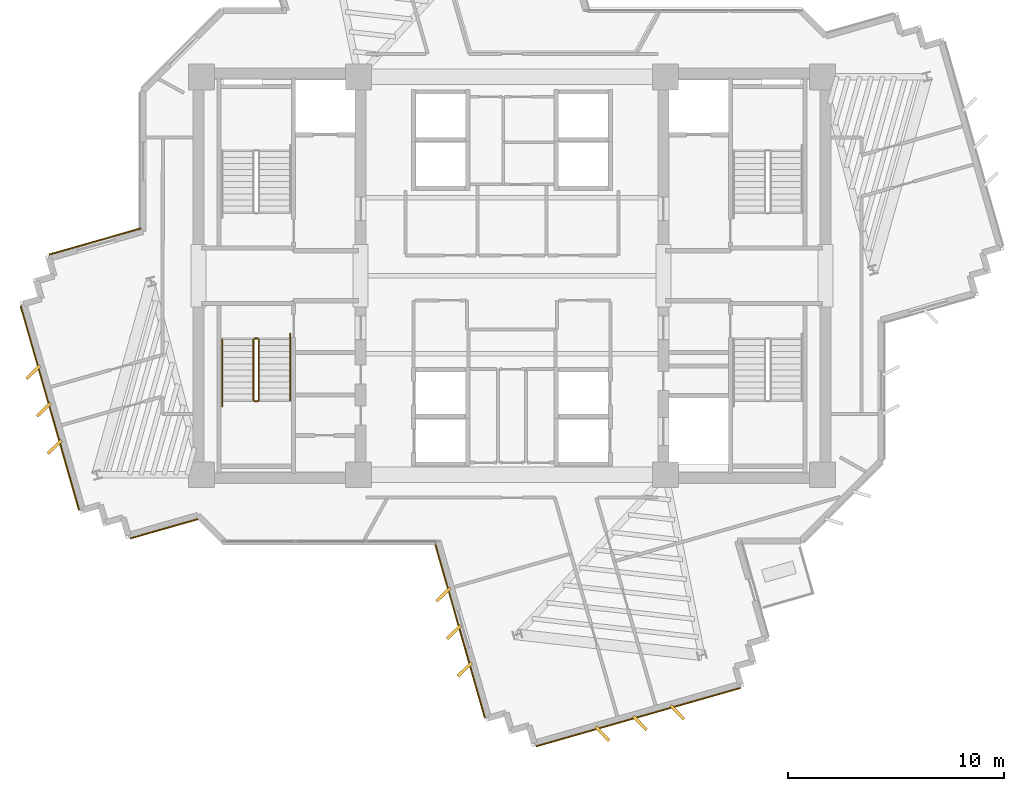
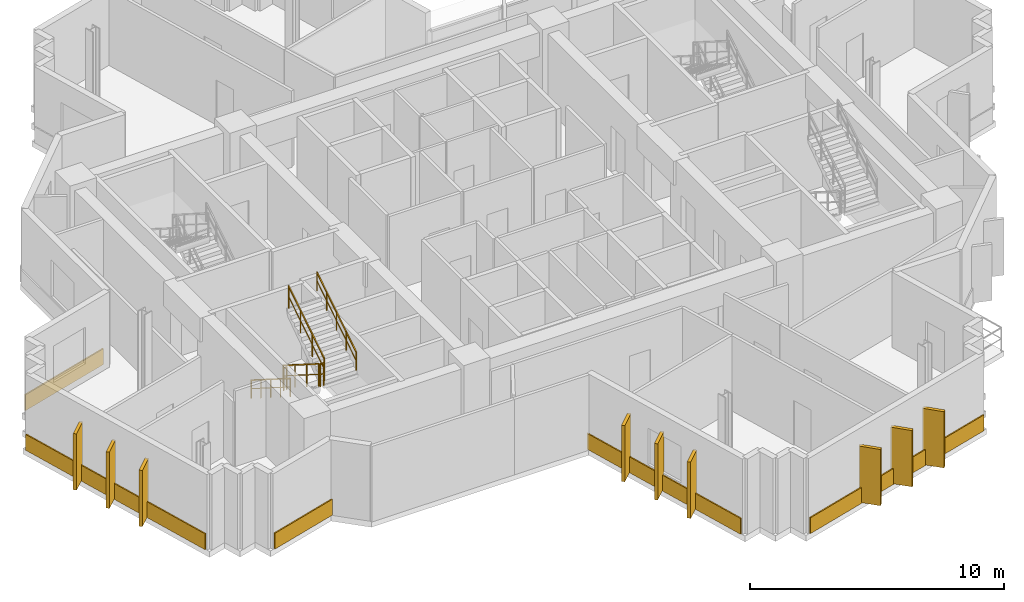
# One storey, part 11 of 14: 14 coverings, 6 railings.
"""IFC4 building model written with IfcOpenShell, lengths in metres."""

import ifcopenshell
import ifcopenshell.guid

model = None  # the IFC model being written
_history = None  # IfcOwnerHistory: only IFC2X3 demands one
_inside = {}  # id of a spatial element -> (the spatial element, [elements in it])
_under = {}  # id of a project, library or spatial element -> (it, [spatial elements below it])
_declared = {}  # id of a project -> (the project, [libraries it declares])
_typed = {}  # id of a type object -> (the type object, [elements of that type])
_made_of = {}  # id of a material, layer set ... -> (it, [elements and type objects made of it])


def new_model(schema):
    """Start an empty IFC model of exactly this schema.

    Asked for "IFC4X3", IfcOpenShell would pick the latest addendum, in which some entities
    have other attributes; the version numbers below select the first issue.
    IFC2X3 requires an IfcOwnerHistory on every rooted entity: one is made here for all.
    """
    global model, _history
    if schema == "IFC4X3":
        model = ifcopenshell.file(schema_version=(4, 3, 0, 0))
    else:
        model = ifcopenshell.file(schema=schema)
    _inside.clear()
    _under.clear()
    _declared.clear()
    _typed.clear()
    _made_of.clear()
    _history = None
    if model.schema == "IFC2X3":
        org = make("IfcOrganization", Name="unknown")
        user = make(
            "IfcPersonAndOrganization",
            ThePerson=make("IfcPerson", FamilyName="unknown"),
            TheOrganization=org,
        )
        app = make(
            "IfcApplication",
            ApplicationDeveloper=org,
            Version="unknown",
            ApplicationFullName="unknown",
            ApplicationIdentifier="unknown",
        )
        _history = make(
            "IfcOwnerHistory",
            OwningUser=user,
            OwningApplication=app,
            ChangeAction="ADDED",
            CreationDate=0,
        )
    return model


def make(cls, **values):
    """One entity of the class cls with the attributes given. An attribute that is None is left unset."""
    return model.create_entity(
        cls, **{name: value for name, value in values.items() if value is not None}
    )


def rooted(cls, **values):
    """An entity with a GlobalId (a new one), such as an element, a storey or a relation."""
    return make(cls, GlobalId=ifcopenshell.guid.new(), OwnerHistory=_history, **values)


def si_unit(unit_type, name, prefix=None):
    """IfcSIUnit, for example si_unit("LENGTHUNIT", "METRE", prefix="MILLI")."""
    return make("IfcSIUnit", UnitType=unit_type, Prefix=prefix, Name=name)


def assignment(units):
    """IfcUnitAssignment: the units of a project."""
    return None if units is None else make("IfcUnitAssignment", Units=units)


def point(xyz):
    """IfcCartesianPoint."""
    return None if xyz is None else make("IfcCartesianPoint", Coordinates=xyz)


def direction(xyz):
    """IfcDirection."""
    return None if xyz is None else make("IfcDirection", DirectionRatios=xyz)


def frame(location, z_axis=None, x_axis=None):
    """IfcAxis2Placement3D, a coordinate frame: its origin and axes. An axis left out is left unset."""
    return make(
        "IfcAxis2Placement3D",
        Location=point(location),
        Axis=direction(z_axis),
        RefDirection=direction(x_axis),
    )


def frame_2d(location, x_axis=None):
    """IfcAxis2Placement2D, a coordinate frame in the plane: its origin and x axis."""
    return make(
        "IfcAxis2Placement2D", Location=point(location), RefDirection=direction(x_axis)
    )


def origin():
    """The frame at (0, 0, 0) with its axes left unset."""
    return frame((0.0, 0.0, 0.0))


def origin_2d():
    """The frame at (0, 0) in the plane with its x axis left unset."""
    return frame_2d((0.0, 0.0))


def place(relative_to, where):
    """IfcLocalPlacement: puts the frame where relative to a parent placement (None: the world)."""
    return make(
        "IfcLocalPlacement", PlacementRelTo=relative_to, RelativePlacement=where
    )


def context(
    kind, dimensions, precision=None, world=None, true_north=None, identifier=None
):
    """IfcGeometricRepresentationContext, for example the 3D "Model" context."""
    return make(
        "IfcGeometricRepresentationContext",
        ContextIdentifier=identifier,
        ContextType=kind,
        CoordinateSpaceDimension=dimensions,
        Precision=precision,
        WorldCoordinateSystem=world,
        TrueNorth=true_north,
    )


def subcontext(parent, identifier, kind, view, scale=None):
    """IfcGeometricRepresentationSubContext, for example "Body" below "Model"."""
    return make(
        "IfcGeometricRepresentationSubContext",
        ContextIdentifier=identifier,
        ContextType=kind,
        ParentContext=parent,
        TargetScale=scale,
        TargetView=view,
    )


def project(units=None, contexts=None):
    """IfcProject with its units and contexts."""
    return rooted(
        "IfcProject",
        Name="project",
        RepresentationContexts=contexts,
        UnitsInContext=assignment(units),
    )


def spatial(cls, under=None, at=None, **own):
    """A site, building, storey or space (cls), placed at a placement, below another one or the project."""
    s = rooted(cls, ObjectPlacement=at, **own)
    if under is not None:
        _under.setdefault(under.id(), (under, []))[1].append(s)
    return s


def profile(cls, at=None, kind="AREA", **sizes):
    """A parametric profile (cls). Its sizes go by their IFC names, for example OverallWidth=200.0."""
    return make(cls, ProfileType=kind, Position=at, **sizes)


def rectangle(**sizes):
    """IfcRectangleProfileDef."""
    return profile("IfcRectangleProfileDef", **sizes)


def extrude(swept, where, along, depth):
    """IfcExtrudedAreaSolid: the profile swept, set in the frame where, extruded along a direction by depth."""
    return make(
        "IfcExtrudedAreaSolid",
        SweptArea=swept,
        Position=where,
        ExtrudedDirection=direction(along),
        Depth=depth,
    )


def shape(context_of_items, identifier, shape_type, items):
    """IfcShapeRepresentation: the items that make up one representation, for example the "Body"."""
    return make(
        "IfcShapeRepresentation",
        ContextOfItems=context_of_items,
        RepresentationIdentifier=identifier,
        RepresentationType=shape_type,
        Items=items,
    )


def source(mapping_origin, context_of_items, identifier, shape_type, items):
    """IfcRepresentationMap: a shape defined once, which mapped items show again and again."""
    return make(
        "IfcRepresentationMap",
        MappingOrigin=mapping_origin,
        MappedRepresentation=shape(context_of_items, identifier, shape_type, items),
    )


def transform(
    local_origin,
    x_axis=None,
    y_axis=None,
    z_axis=None,
    scale=None,
    scale2=None,
    scale3=None,
    uniform=True,
):
    """IfcCartesianTransformationOperator3D, or its non-uniform kind. x_axis, y_axis, z_axis: its Axis1, 2, 3."""
    if uniform:
        return make(
            "IfcCartesianTransformationOperator3D",
            Axis1=direction(x_axis),
            Axis2=direction(y_axis),
            LocalOrigin=point(local_origin),
            Scale=scale,
            Axis3=direction(z_axis),
        )
    return make(
        "IfcCartesianTransformationOperator3DnonUniform",
        Axis1=direction(x_axis),
        Axis2=direction(y_axis),
        LocalOrigin=point(local_origin),
        Scale=scale,
        Axis3=direction(z_axis),
        Scale2=scale2,
        Scale3=scale3,
    )


def mapped(mapping_source, mapping_target):
    """IfcMappedItem: shows the shape of a source again, moved by a transform."""
    return make(
        "IfcMappedItem", MappingSource=mapping_source, MappingTarget=mapping_target
    )


def material(Name=None, Category=None):
    """IfcMaterial."""
    return make("IfcMaterial", Name=Name, Category=Category)


def layer(
    of_material, thickness, ventilated=None, Name=None, Category=None, Priority=None
):
    """IfcMaterialLayer: one layer of a wall or slab, of a material (None: an air gap)."""
    return make(
        "IfcMaterialLayer",
        Material=of_material,
        LayerThickness=thickness,
        IsVentilated=ventilated,
        Name=Name,
        Category=Category,
        Priority=Priority,
    )


def layer_set(layers, Name=None):
    """IfcMaterialLayerSet."""
    return make("IfcMaterialLayerSet", MaterialLayers=layers, LayerSetName=Name)


def made_of(thing, what):
    """Note that an element or type object is made of a material, layer set ...; save() writes the relation."""
    if what is not None:
        _made_of.setdefault(what.id(), (what, []))[1].append(thing)
    return thing


def type_object(cls, material=None, **own):
    """A type object (cls), such as IfcWallType, which elements share."""
    return made_of(rooted(cls, **own), material)


def element(
    cls,
    number,
    at=None,
    inside=None,
    cuts=None,
    type_object=None,
    material=None,
    context=None,
    identifier="Body",
    shape_type=None,
    held_by="IfcProductDefinitionShape",
    body=None,
    shapes=None,
    **own,
):
    """One element of the class cls, such as IfcWall. Its Tag is "e" and its number.

    at: its placement. inside: the storey or other place that contains it. cuts: it is an
    opening in that element (IfcRelVoidsElement). A single representation is given by context,
    identifier, shape_type and body (its items); several are given by shapes. held_by: the class
    of the entity that holds the representations. save() writes the other relations.
    """
    e = rooted(cls, Tag="e%d" % number, ObjectPlacement=at, **own)
    if body is not None:
        shapes = [shape(context, identifier, shape_type, body)]
    if shapes is not None:
        e.Representation = make(held_by, Representations=shapes)
    if inside is not None:
        _inside.setdefault(inside.id(), (inside, []))[1].append(e)
    if cuts is not None:
        rooted(
            "IfcRelVoidsElement", RelatingBuildingElement=cuts, RelatedOpeningElement=e
        )
    if type_object is not None:
        _typed.setdefault(type_object.id(), (type_object, []))[1].append(e)
    return made_of(e, material)


def aggregate(whole, parts):
    """IfcRelAggregates: a whole, such as a stair, and the parts it consists of."""
    return rooted("IfcRelAggregates", RelatingObject=whole, RelatedObjects=parts)


def save(model, path):
    """Write the relations noted so far, then the file.

    IfcRelAggregates (storeys below a building ...), IfcRelContainedInSpatialStructure (elements
    in a storey), IfcRelDefinesByType, IfcRelAssociatesMaterial and IfcRelDeclares: one each for
    every whole, place, type object, material and project.
    """
    for whole, parts in _under.values():
        aggregate(whole, parts)
    for where, things in _inside.values():
        rooted(
            "IfcRelContainedInSpatialStructure",
            RelatedElements=things,
            RelatingStructure=where,
        )
    for kind, things in _typed.values():
        rooted("IfcRelDefinesByType", RelatedObjects=things, RelatingType=kind)
    for what, things in _made_of.values():
        rooted("IfcRelAssociatesMaterial", RelatedObjects=things, RelatingMaterial=what)
    for by, libraries in _declared.values():
        rooted("IfcRelDeclares", RelatingContext=by, RelatedDefinitions=libraries)
    model.write(path)


model = new_model("IFC4")

# Units and contexts
model_context = context("Model", 3, precision=1e-05, world=origin(), true_north=direction((0.0, 1.0)))
body_context = subcontext(model_context, "Body", "Model", "MODEL_VIEW")
ifc_project = project(units=[si_unit("LENGTHUNIT", "METRE"), si_unit("AREAUNIT", "SQUARE_METRE"), si_unit("VOLUMEUNIT", "CUBIC_METRE"), si_unit("PLANEANGLEUNIT", "RADIAN"), si_unit("MASSUNIT", "GRAM", prefix="KILO")], contexts=[model_context])

# Site, building, storey
site_placement = place(None, origin())
site = spatial("IfcSite", under=ifc_project, at=site_placement, CompositionType="ELEMENT")
building_placement = place(site_placement, origin())
building = spatial("IfcBuilding", under=site, at=building_placement, Name="Zahravan Cultural Tower", CompositionType="ELEMENT")
storey_placement = place(building_placement, frame((0.0, 0.0, 205.800048828125)))
storey = spatial("IfcBuildingStorey", under=building, at=storey_placement, Name="L48", CompositionType="ELEMENT", Elevation=205.800048828125)

# Railings
ifc_material_1 = material(Name="Steel ASTM A572 Grade 50", Category="steel")
railing_type_1 = type_object("IfcRailingType", Name="RL-STAIR-GRD1150", PredefinedType="BALUSTRADE", material=ifc_material_1)
railing_1_placement = place(storey_placement, frame((24.050048828125, 24.050048828125, 0.17724609375)))
element("IfcRailing", 1, at=railing_1_placement, inside=storey, type_object=railing_type_1, Name="L48 ST-W2 stair guard 1", PredefinedType="BALUSTRADE", context=body_context, shape_type="SweptSolid", body=[
    extrude(rectangle(XDim=0.05, YDim=0.05, at=origin_2d()), frame((0.0, 0.0, 1.0751953125), z_axis=(0.0, -0.844908973607, 0.534910110503), x_axis=(1.0, 0.0, 0.0)), (0.0, 0.0, 1.0), 3.31396484375),
    extrude(rectangle(XDim=0.032, YDim=0.032, at=origin_2d()), frame((0.0, 0.0, 0.572021484375), z_axis=(0.0, -0.844908973607, 0.534910110503), x_axis=(1.0, 0.0, 0.0)), (0.0, 0.0, 1.0), 3.31396484375),
    extrude(rectangle(XDim=0.04, YDim=0.04, at=origin_2d()), origin(), (0.0, 0.0, 1.0), 1.10009765625),
    extrude(rectangle(XDim=0.04, YDim=0.04, at=origin_2d()), frame((0.0, -0.933349609375, 0.5908203125)), (0.0, 0.0, 1.0), 1.10009765625),
    extrude(rectangle(XDim=0.04, YDim=0.04, at=origin_2d()), frame((0.0, -1.86669921875, 1.181884765625)), (0.0, 0.0, 1.0), 1.10009765625),
    extrude(rectangle(XDim=0.04, YDim=0.04, at=origin_2d()), frame((0.0, -2.800048828125, 1.772705078125)), (0.0, 0.0, 1.0), 1.10009765625),
])
railing_2_placement = place(storey_placement, frame((24.10009765625, 21.199951171875, 1.949951171875)))
element("IfcRailing", 2, at=railing_2_placement, inside=storey, type_object=railing_type_1, Name="L48 ST-W2 stair guard 2", PredefinedType="BALUSTRADE", context=body_context, shape_type="SweptSolid", body=[
    extrude(rectangle(XDim=0.05, YDim=0.05, at=origin_2d()), frame((0.0, 0.0, 1.0751953125), z_axis=(1.0, 0.0, 0.0), x_axis=(0.0, 1.0, 0.0)), (0.0, 0.0, 1.0), 0.14990234375),
    extrude(rectangle(XDim=0.032, YDim=0.032, at=origin_2d()), frame((0.0, 0.0, 0.572021484375), z_axis=(1.0, 0.0, 0.0), x_axis=(0.0, 1.0, 0.0)), (0.0, 0.0, 1.0), 0.14990234375),
    extrude(rectangle(XDim=0.04, YDim=0.04, at=origin_2d()), origin(), (0.0, 0.0, 1.0), 1.10009765625),
    extrude(rectangle(XDim=0.04, YDim=0.04, at=origin_2d()), frame((0.14990234375, 0.0, 0.0)), (0.0, 0.0, 1.0), 1.10009765625),
])
railing_3_placement = place(storey_placement, frame((24.300048828125, 21.25, 2.127197265625)))
element("IfcRailing", 3, at=railing_3_placement, inside=storey, type_object=railing_type_1, Name="L48 ST-W2 stair guard 3", PredefinedType="BALUSTRADE", context=body_context, shape_type="SweptSolid", body=[
    extrude(rectangle(XDim=0.05, YDim=0.05, at=origin_2d()), frame((0.0, 0.0, 1.0751953125), z_axis=(0.0, 0.844908973607, 0.534910110503), x_axis=(-1.0, 0.0, 0.0)), (0.0, 0.0, 1.0), 3.31396484375),
    extrude(rectangle(XDim=0.032, YDim=0.032, at=origin_2d()), frame((0.0, 0.0, 0.572021484375), z_axis=(0.0, 0.844908973607, 0.534910110503), x_axis=(-1.0, 0.0, 0.0)), (0.0, 0.0, 1.0), 3.31396484375),
    extrude(rectangle(XDim=0.04, YDim=0.04, at=origin_2d()), origin(), (0.0, 0.0, 1.0), 1.10009765625),
    extrude(rectangle(XDim=0.04, YDim=0.04, at=origin_2d()), frame((0.0, 0.933349609375, 0.5908203125)), (0.0, 0.0, 1.0), 1.10009765625),
    extrude(rectangle(XDim=0.04, YDim=0.04, at=origin_2d()), frame((0.0, 1.86669921875, 1.181884765625)), (0.0, 0.0, 1.0), 1.10009765625),
    extrude(rectangle(XDim=0.04, YDim=0.04, at=origin_2d()), frame((0.0, 2.800048828125, 1.772705078125)), (0.0, 0.0, 1.0), 1.10009765625),
])
railing_4_placement = place(storey_placement, frame((24.10009765625, 24.10009765625, 0.0)))
element("IfcRailing", 4, at=railing_4_placement, inside=storey, type_object=railing_type_1, Name="L48 ST-W2 stair guard 4", PredefinedType="BALUSTRADE", context=body_context, shape_type="SweptSolid", body=[
    extrude(rectangle(XDim=0.05, YDim=0.05, at=origin_2d()), frame((0.0, 0.0, 1.0751953125), z_axis=(1.0, 0.0, 0.0), x_axis=(0.0, 1.0, 0.0)), (0.0, 0.0, 1.0), 0.14990234375),
    extrude(rectangle(XDim=0.032, YDim=0.032, at=origin_2d()), frame((0.0, 0.0, 0.572021484375), z_axis=(1.0, 0.0, 0.0), x_axis=(0.0, 1.0, 0.0)), (0.0, 0.0, 1.0), 0.14990234375),
    extrude(rectangle(XDim=0.04, YDim=0.04, at=origin_2d()), origin(), (0.0, 0.0, 1.0), 1.10009765625),
    extrude(rectangle(XDim=0.04, YDim=0.04, at=origin_2d()), frame((0.14990234375, 0.0, 0.0)), (0.0, 0.0, 1.0), 1.10009765625),
])
railing_type_2 = type_object("IfcRailingType", Name="RL-STAIR-HR900", PredefinedType="HANDRAIL", material=ifc_material_1)
railing_5_placement = place(storey_placement, frame((22.60009765625, 24.050048828125, 0.17724609375)))
element("IfcRailing", 5, at=railing_5_placement, inside=storey, type_object=railing_type_2, Name="L48 ST-W2 stair handrail 1", PredefinedType="HANDRAIL", context=body_context, shape_type="SweptSolid", body=[
    extrude(rectangle(XDim=0.05, YDim=0.05, at=origin_2d()), frame((0.0, 0.0, 0.875), z_axis=(0.0, -0.844913916606, 0.534902302785), x_axis=(1.0, 0.0, 0.0)), (0.0, 0.0, 1.0), 3.6455078125),
    extrude(rectangle(XDim=0.032, YDim=0.032, at=origin_2d()), frame((0.0, 0.0, 0.468017578125), z_axis=(0.0, -0.844913916606, 0.534902302785), x_axis=(1.0, 0.0, 0.0)), (0.0, 0.0, 1.0), 3.6455078125),
    extrude(rectangle(XDim=0.04, YDim=0.04, at=origin_2d()), origin(), (0.0, 0.0, 1.0), 0.89990234375),
    extrude(rectangle(XDim=0.04, YDim=0.04, at=origin_2d()), frame((0.0, -0.77001953125, 0.487548828125)), (0.0, 0.0, 1.0), 0.89990234375),
    extrude(rectangle(XDim=0.04, YDim=0.04, at=origin_2d()), frame((0.0, -1.5400390625, 0.97509765625)), (0.0, 0.0, 1.0), 0.89990234375),
    extrude(rectangle(XDim=0.04, YDim=0.04, at=origin_2d()), frame((0.0, -2.31005859375, 1.46240234375)), (0.0, 0.0, 1.0), 0.89990234375),
    extrude(rectangle(XDim=0.04, YDim=0.04, at=origin_2d()), frame((0.0, -3.080078125, 1.949951171875)), (0.0, 0.0, 1.0), 0.89990234375),
])
railing_6_placement = place(storey_placement, frame((25.75, 21.25, 2.127197265625)))
element("IfcRailing", 6, at=railing_6_placement, inside=storey, type_object=railing_type_2, Name="L48 ST-W2 stair handrail 2", PredefinedType="HANDRAIL", context=body_context, shape_type="SweptSolid", body=[
    extrude(rectangle(XDim=0.05, YDim=0.05, at=origin_2d()), frame((0.0, 0.0, 0.875), z_axis=(0.0, 0.844913916606, 0.534902302785), x_axis=(-1.0, 0.0, 0.0)), (0.0, 0.0, 1.0), 3.6455078125),
    extrude(rectangle(XDim=0.032, YDim=0.032, at=origin_2d()), frame((0.0, 0.0, 0.468017578125), z_axis=(0.0, 0.844913916606, 0.534902302785), x_axis=(-1.0, 0.0, 0.0)), (0.0, 0.0, 1.0), 3.6455078125),
    extrude(rectangle(XDim=0.04, YDim=0.04, at=origin_2d()), origin(), (0.0, 0.0, 1.0), 0.89990234375),
    extrude(rectangle(XDim=0.04, YDim=0.04, at=origin_2d()), frame((0.0, 0.77001953125, 0.487548828125)), (0.0, 0.0, 1.0), 0.89990234375),
    extrude(rectangle(XDim=0.04, YDim=0.04, at=origin_2d()), frame((0.0, 1.5400390625, 0.97509765625)), (0.0, 0.0, 1.0), 0.89990234375),
    extrude(rectangle(XDim=0.04, YDim=0.04, at=origin_2d()), frame((0.0, 2.31005859375, 1.46240234375)), (0.0, 0.0, 1.0), 0.89990234375),
    extrude(rectangle(XDim=0.04, YDim=0.04, at=origin_2d()), frame((0.0, 3.080078125, 1.949951171875)), (0.0, 0.0, 1.0), 0.89990234375),
])

# Coverings
ifc_material_2 = material(Name="Terracotta ceramic cladding", Category="masonry")
ifc_layer = layer(ifc_material_2, 0.06005859375)
ifc_layer_set = layer_set([ifc_layer], Name="Terracotta ceramic cladding")
covering_type = type_object("IfcCoveringType", Name="COV-CLAD-TC60", PredefinedType="CLADDING", material=ifc_layer_set)
shared_shape_1 = source(origin(), body_context, "Body", "SweptSolid", [
    extrude(rectangle(XDim=9.820068359375, YDim=0.06005859375, at=origin_2d()), origin(), (0.0, 0.0, 1.0), 0.760009765625),
])
for number, where, z_axis, x_axis, name in (
    (7, (41.836181640625, 6.593017578125, 0.02001953125), (0.0, 0.0, 1.0), (-0.961453892845, -0.274966201438, 0.0), "L48 Terracotta Spandrel Cladding 20"),
    (8, (14.631591796875, 20.888916015625, 0.02001953125), (0.0, 0.0, 1.0), (-0.274966201438, 0.961453892845, 0.0), "L48 Terracotta Spandrel Cladding 32"),
):
    element("IfcCovering", number, at=place(storey_placement, frame(where, z_axis=z_axis, x_axis=x_axis)), inside=storey, type_object=covering_type, Name=name, PredefinedType="CLADDING", context=body_context, shape_type="MappedRepresentation", body=[
        mapped(shared_shape_1, transform((0.0, 0.0, 0.0), x_axis=(1.0, 0.0, 0.0), y_axis=(0.0, 1.0, 0.0), z_axis=(0.0, 0.0, 1.0), scale=1.0)),
    ])
shared_shape_2 = source(origin(), body_context, "Body", "SweptSolid", [
    extrude(rectangle(XDim=0.8798828125, YDim=0.139892578125, at=origin_2d()), origin(), (0.0, 0.0, 1.0), 2.699951171875),
])
for number, where, z_axis, x_axis, name in (
    (9, (43.645263671875, 6.81396484375, 0.0498046875), (0.0, 0.0, 1.0), (0.694156007298, -0.71982458803, 0.0), "L48 Herringbone Terracotta Fin 09"),
    (10, (41.91455078125, 6.319091796875, 0.0498046875), (0.0, 0.0, 1.0), (0.694156007298, -0.71982458803, 0.0), "L48 Herringbone Terracotta Fin 10"),
    (11, (40.183837890625, 5.82421875, 0.0498046875), (0.0, 0.0, 1.0), (0.694156007298, -0.71982458803, 0.0), "L48 Herringbone Terracotta Fin 11"),
    (12, (33.81201171875, 8.793212890625, 0.0498046875), (0.0, 0.0, 1.0), (-0.71982458803, -0.694156007298, 0.0), "L48 Herringbone Terracotta Fin 12"),
    (13, (33.31689453125, 10.523681640625, 0.0498046875), (0.0, 0.0, 1.0), (-0.71982458803, -0.694156007298, 0.0), "L48 Herringbone Terracotta Fin 13"),
    (14, (32.822021484375, 12.25439453125, 0.0498046875), (0.0, 0.0, 1.0), (-0.71982458803, -0.694156007298, 0.0), "L48 Herringbone Terracotta Fin 14"),
    (15, (14.8525390625, 19.079833984375, 0.0498046875), (0.0, 0.0, 1.0), (-0.71982458803, -0.694156007298, 0.0), "L48 Herringbone Terracotta Fin 15"),
    (16, (14.357666015625, 20.810546875, 0.0498046875), (0.0, 0.0, 1.0), (-0.71982458803, -0.694156007298, 0.0), "L48 Herringbone Terracotta Fin 16"),
    (17, (13.86279296875, 22.541015625, 0.0498046875), (0.0, 0.0, 1.0), (-0.71982458803, -0.694156007298, 0.0), "L48 Herringbone Terracotta Fin 17"),
):
    element("IfcCovering", number, at=place(storey_placement, frame(where, z_axis=z_axis, x_axis=x_axis)), inside=storey, type_object=covering_type, Name=name, PredefinedType="CLADDING", context=body_context, shape_type="MappedRepresentation", body=[
        mapped(shared_shape_2, transform((0.0, 0.0, 0.0), x_axis=(1.0, 0.0, 0.0), y_axis=(0.0, 1.0, 0.0), z_axis=(0.0, 0.0, 1.0), scale=1.0)),
    ])
shared_shape_3 = source(origin(), body_context, "Body", "SweptSolid", [
    extrude(rectangle(XDim=3.251220703125, YDim=0.06005859375, at=origin_2d()), origin(), (0.0, 0.0, 1.0), 0.760009765625),
])
covering_1_placement = place(storey_placement, frame((19.91259765625, 15.300537109375, 0.02001953125), z_axis=(0.0, 0.0, 1.0), x_axis=(-0.961449093633, -0.274982981932, 0.0)))
element("IfcCovering", 18, at=covering_1_placement, inside=storey, type_object=covering_type, Name="L48 Terracotta Spandrel Cladding 27", PredefinedType="CLADDING", context=body_context, shape_type="MappedRepresentation", body=[
    mapped(shared_shape_3, transform((0.0, 0.0, 0.0), x_axis=(1.0, 0.0, 0.0), y_axis=(0.0, 1.0, 0.0), z_axis=(0.0, 0.0, 1.0), scale=1.0)),
])
shared_shape_4 = source(origin(), body_context, "Body", "SweptSolid", [
    extrude(rectangle(XDim=4.420654296875, YDim=0.06005859375, at=origin_2d()), origin(), (0.0, 0.0, 1.0), 0.760009765625),
])
covering_2_placement = place(storey_placement, frame((16.721435546875, 28.585205078125, 0.02001953125), z_axis=(0.0, 0.0, 1.0), x_axis=(0.961458691764, 0.27494942086, 0.0)))
element("IfcCovering", 19, at=covering_2_placement, inside=storey, type_object=covering_type, Name="L48 Terracotta Spandrel Cladding 37", PredefinedType="CLADDING", context=body_context, shape_type="MappedRepresentation", body=[
    mapped(shared_shape_4, transform((0.0, 0.0, 0.0), x_axis=(1.0, 0.0, 0.0), y_axis=(0.0, 1.0, 0.0), z_axis=(0.0, 0.0, 1.0), scale=1.0)),
])
shared_shape_5 = source(origin(), body_context, "Body", "SweptSolid", [
    extrude(rectangle(XDim=8.4130859375, YDim=0.06005859375, at=origin_2d()), origin(), (0.0, 0.0, 1.0), 0.760009765625),
])
covering_3_placement = place(storey_placement, frame((33.591064453125, 10.60205078125, 0.02001953125), z_axis=(0.0, 0.0, 1.0), x_axis=(-0.274966201438, 0.961453892845, 0.0)))
element("IfcCovering", 20, at=covering_3_placement, inside=storey, type_object=covering_type, Name="L48 Terracotta Spandrel Cladding 25", PredefinedType="CLADDING", context=body_context, shape_type="MappedRepresentation", body=[
    mapped(shared_shape_5, transform((0.0, 0.0, 0.0), x_axis=(1.0, 0.0, 0.0), y_axis=(0.0, 1.0, 0.0), z_axis=(0.0, 0.0, 1.0), scale=1.0)),
])

save(model, "model.ifc")
